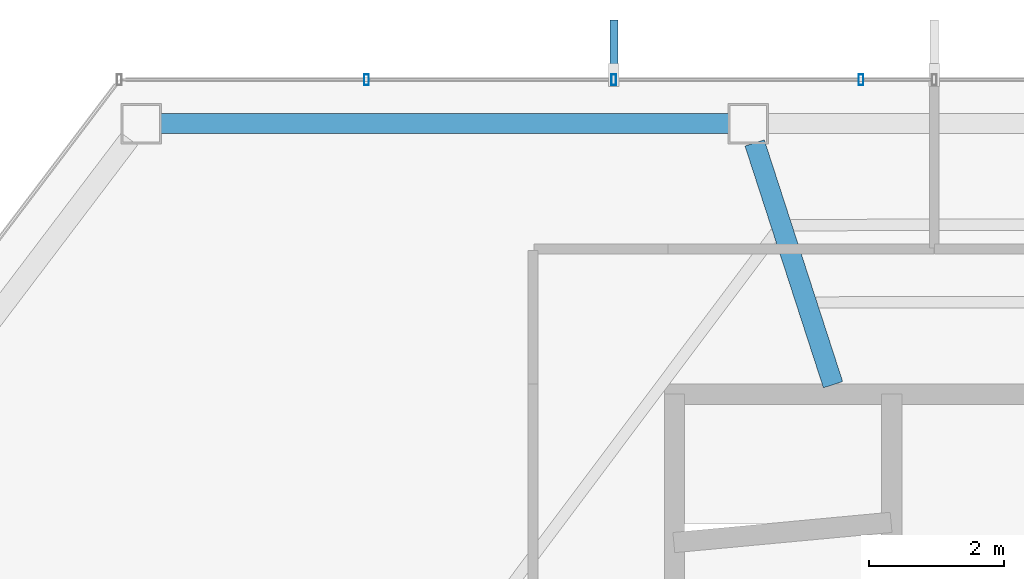
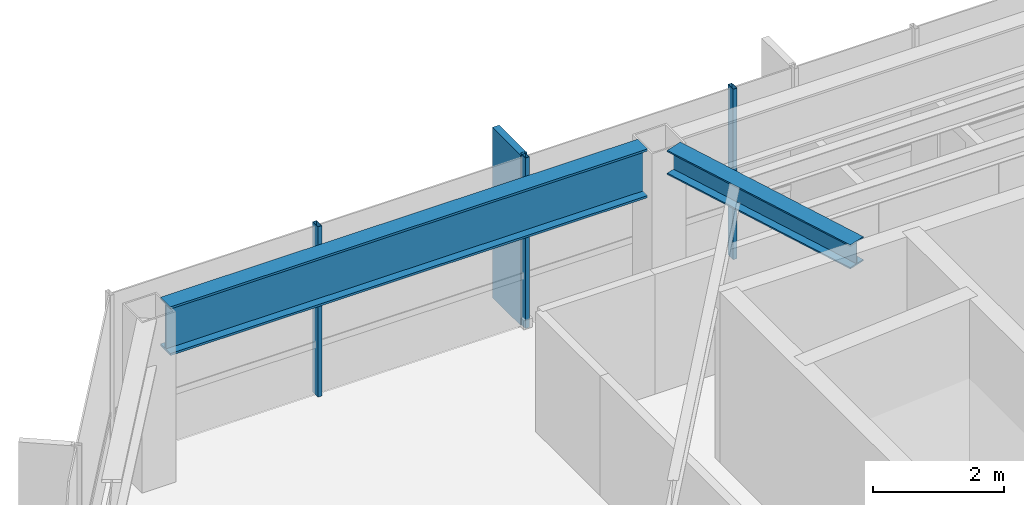
# One storey, part 11 of 25: 4 members, 2 beams, 1 element without a shape of its own.
"""IFC4 building model written with IfcOpenShell, lengths in metres."""

from ifc_helpers import new_model, si_unit, direction, frame, origin, origin_2d, place, context, subcontext, project, spatial, rectangle, hollow_rectangle, i_section, extrude, material, layer, layer_set, material_profile, profile_set, type_object, element, aggregate, save


model = new_model("IFC4")

# Units and contexts
model_context = context("Model", 3, precision=1e-05, world=origin(), true_north=direction((0.0, 1.0)))
body_context = subcontext(model_context, "Body", "Model", "MODEL_VIEW")
ifc_project = project(units=[si_unit("LENGTHUNIT", "METRE"), si_unit("AREAUNIT", "SQUARE_METRE"), si_unit("VOLUMEUNIT", "CUBIC_METRE"), si_unit("PLANEANGLEUNIT", "RADIAN"), si_unit("MASSUNIT", "GRAM", prefix="KILO")], contexts=[model_context])

# Site, building, storey
site_placement = place(None, origin())
site = spatial("IfcSite", under=ifc_project, at=site_placement, CompositionType="ELEMENT")
building_placement = place(site_placement, origin())
building = spatial("IfcBuilding", under=site, at=building_placement, Name="Zarrinselat Tower", CompositionType="ELEMENT")
storey_placement = place(building_placement, frame((0.0, 0.0, 239.360107421875)))
storey = spatial("IfcBuildingStorey", under=building, at=storey_placement, Name="L60", CompositionType="ELEMENT", Elevation=239.360107421875)

# Beams
ifc_material_1 = material(Name="Steel S355J2", Category="steel")
ifc_material_profile_1 = material_profile(ifc_material_1, i_section(OverallWidth=0.300048828125, OverallDepth=0.449951171875, WebThickness=0.013916015625, FlangeThickness=0.02587890625, at=origin_2d()), Name="HEB 450")
ifc_profile_set_1 = profile_set([ifc_material_profile_1], Name="Steel S355J2")
beam_type_1 = type_object("IfcBeamType", Name="BM-HEB450", PredefinedType="BEAM", material=ifc_profile_set_1)
beam_1_placement = place(storey_placement, frame((29.83740234375, 47.123779296875, 2.954833984375), z_axis=(0.308577591776, -0.951199174649, 0.0), x_axis=(0.951199174649, 0.308577591776, 0.0)))
element("IfcBeam", 1, at=beam_1_placement, inside=storey, type_object=beam_type_1, Name="L60 Radial Primary Girder RG04", PredefinedType="BEAM", context=body_context, shape_type="SweptSolid", body=[
    extrude(i_section(OverallWidth=0.300048828125, OverallDepth=0.449951171875, WebThickness=0.013916015625, FlangeThickness=0.02587890625, at=origin_2d()), origin(), (0.0, 0.0, 1.0), 3.767578125),
])
ifc_material_2 = material(Name="Steel S460M", Category="steel")
ifc_material_profile_2 = material_profile(ifc_material_2, i_section(OverallWidth=0.302001953125, OverallDepth=0.909912109375, WebThickness=0.02099609375, FlangeThickness=0.0400390625, at=origin_2d()), Name="HEM 900")
ifc_profile_set_2 = profile_set([ifc_material_profile_2], Name="Steel S460M")
beam_type_2 = type_object("IfcBeamType", Name="BM-HEM900", PredefinedType="BEAM", material=ifc_profile_set_2)
beam_2_placement = place(storey_placement, frame((21.031982421875, 47.4111328125, 2.724853515625), z_axis=(1.0, 0.0, 0.0), x_axis=(0.0, 1.0, 0.0)))
element("IfcBeam", 2, at=beam_2_placement, inside=storey, type_object=beam_type_2, Name="L60 Perimeter Spandrel Girder SP04", PredefinedType="BEAM", context=body_context, shape_type="SweptSolid", body=[
    extrude(i_section(OverallWidth=0.302001953125, OverallDepth=0.909912109375, WebThickness=0.02099609375, FlangeThickness=0.0400390625, at=origin_2d()), origin(), (0.0, 0.0, 1.0), 8.42431640625),
])

# Curtain wall, members
ifc_material_3 = material(Name="Extruded Aluminium Alloy EN AW-6063 T6", Category="aluminium")
ifc_layer = layer(ifc_material_3, 0.169921875)
ifc_layer_set = layer_set([ifc_layer], Name="Extruded Aluminium Alloy EN AW-6063 T6")
curtain_wall_type = type_object("IfcCurtainWallType", Name="CWS-RES", PredefinedType="NOTDEFINED", material=ifc_layer_set)
curtain_wall_placement = place(storey_placement, origin())
curtain_wall = element("IfcCurtainWall", 3, at=curtain_wall_placement, inside=storey, type_object=curtain_wall_type, Name="L60 Unitised Curtain Wall CW-L60-E01", PredefinedType="NOTDEFINED")
ifc_material_4 = material(Name="Extruded Aluminium Alloy EN AW-6063 T6", Category="aluminium")
ifc_material_profile_3 = material_profile(ifc_material_4, hollow_rectangle(XDim=0.070068359375, YDim=0.159912109375, WallThickness=0.00390625, at=origin_2d()), Name="RHS 160x70x4")
ifc_profile_set_3 = profile_set([ifc_material_profile_3], Name="Extruded Aluminium Alloy EN AW-6063 T6")
member_type_1 = type_object("IfcMemberType", Name="MEM-CW-MUL2", PredefinedType="MULLION", material=ifc_profile_set_3)
member_1_placement = place(storey_placement, frame((31.415283203125, 48.06103515625, 0.0), z_axis=(0.0, 0.0, 1.0), x_axis=(-1.0, 0.0, 0.0)))
member_1 = element("IfcMember", 4, at=member_1_placement, type_object=member_type_1, Name="CW-L60-E01 Mullion 10", PredefinedType="MULLION", context=body_context, shape_type="SweptSolid", body=[
    extrude(hollow_rectangle(XDim=0.070068359375, YDim=0.159912109375, WallThickness=0.00390625, at=origin_2d()), origin(), (0.0, 0.0, 1.0), 3.179931640625),
])
member_2_placement = place(storey_placement, frame((27.75048828125, 48.06103515625, 0.0), z_axis=(0.0, 0.0, 1.0), x_axis=(-1.0, 0.0, 0.0)))
member_2 = element("IfcMember", 5, at=member_2_placement, type_object=member_type_1, Name="CW-L60-E01 Mullion 11", PredefinedType="MULLION", context=body_context, shape_type="SweptSolid", body=[
    extrude(hollow_rectangle(XDim=0.070068359375, YDim=0.159912109375, WallThickness=0.00390625, at=origin_2d()), origin(), (0.0, 0.0, 1.0), 3.179931640625),
])
member_3_placement = place(storey_placement, frame((24.085693359375, 48.06103515625, 0.0), z_axis=(0.0, 0.0, 1.0), x_axis=(-1.0, 0.0, 0.0)))
member_3 = element("IfcMember", 6, at=member_3_placement, type_object=member_type_1, Name="CW-L60-E01 Mullion 12", PredefinedType="MULLION", context=body_context, shape_type="SweptSolid", body=[
    extrude(hollow_rectangle(XDim=0.070068359375, YDim=0.159912109375, WallThickness=0.00390625, at=origin_2d()), origin(), (0.0, 0.0, 1.0), 3.179931640625),
])
ifc_material_5 = material(Name="Honed Cream Travertine Stone", Category="masonry")
ifc_material_profile_4 = material_profile(ifc_material_5, rectangle(XDim=0.1201171875, YDim=0.85009765625, at=origin_2d()), Name="FIN 850x120")
ifc_profile_set_4 = profile_set([ifc_material_profile_4], Name="Honed Cream Travertine Stone")
member_type_2 = type_object("IfcMemberType", Name="MEM-STONE-FIN", PredefinedType="USERDEFINED", material=ifc_profile_set_4)
member_4_placement = place(storey_placement, frame((27.75048828125, 48.52099609375, 0.0), z_axis=(0.0, 0.0, 1.0), x_axis=(1.0, 0.0, 0.0)))
member_4 = element("IfcMember", 7, at=member_4_placement, type_object=member_type_2, Name="L60 Stone Shading Fin CW-L60-E01-11", ObjectType="FIN", PredefinedType="USERDEFINED", context=body_context, shape_type="SweptSolid", body=[
    extrude(rectangle(XDim=0.1201171875, YDim=0.85009765625, at=origin_2d()), origin(), (0.0, 0.0, 1.0), 3.179931640625),
])
aggregate(curtain_wall, [member_1, member_2, member_4, member_3])

save(model, "model.ifc")
